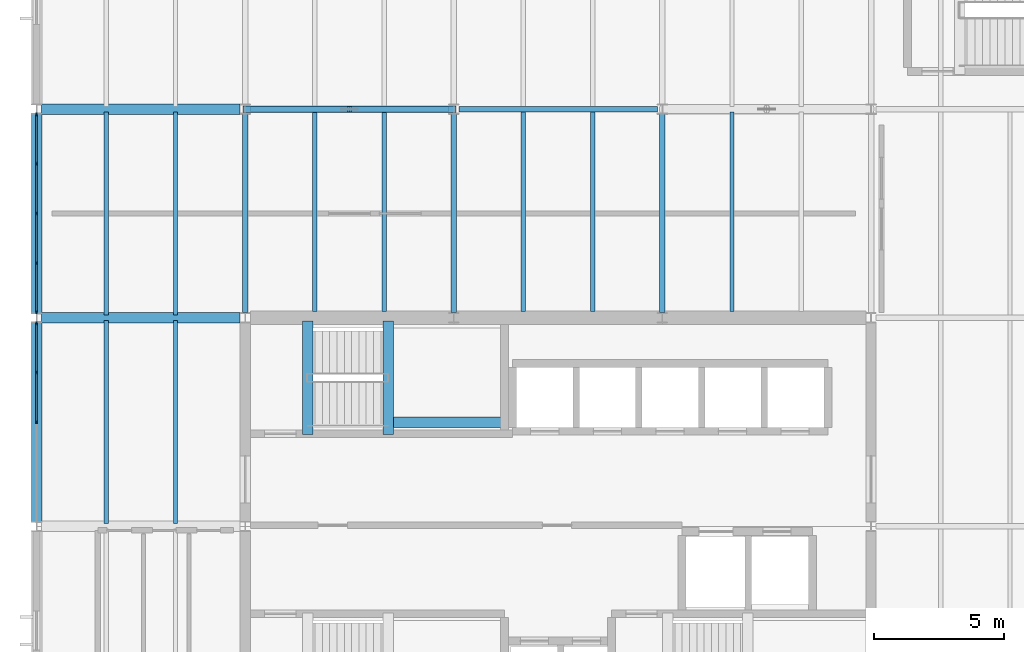
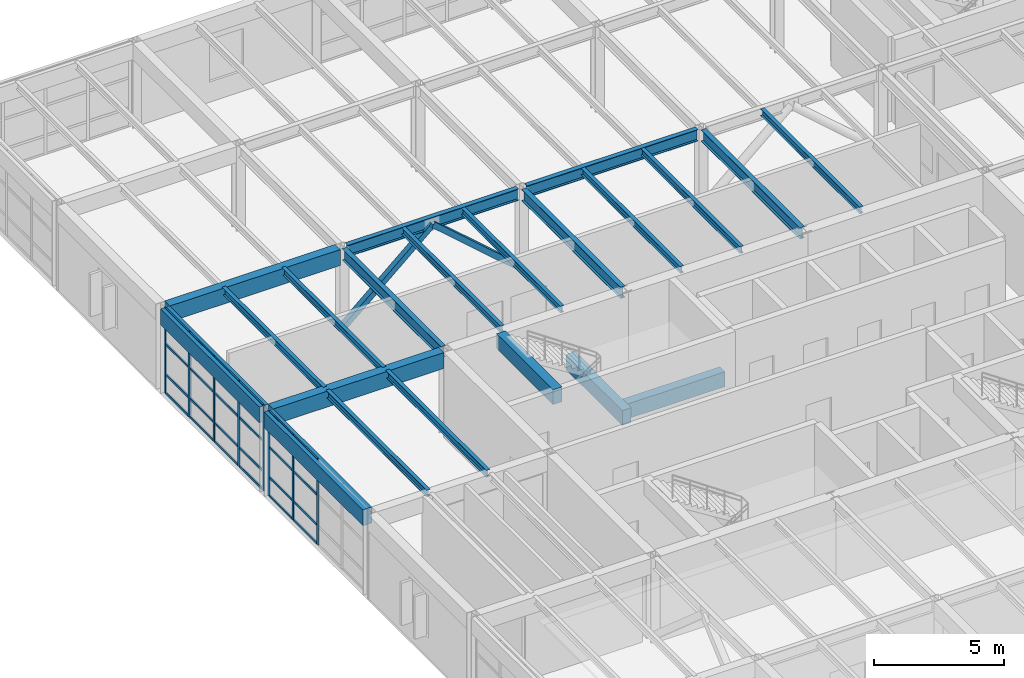
# One storey, part 13 of 48: 34 members, 21 beams, 2 elements without a shape of their own.
"""IFC4 building model written with IfcOpenShell, lengths in metres."""

from ifc_helpers import new_model, si_unit, direction, frame, origin, origin_2d, place, context, subcontext, project, spatial, rectangle, hollow_rectangle, i_section, extrude, material, layer, layer_set, material_profile, profile_set, type_object, element, aggregate, save


model = new_model("IFC4")

# Units and contexts
model_context = context("Model", 3, precision=1e-05, world=origin(), true_north=direction((0.0, 1.0)))
body_context = subcontext(model_context, "Body", "Model", "MODEL_VIEW")
ifc_project = project(units=[si_unit("LENGTHUNIT", "METRE"), si_unit("AREAUNIT", "SQUARE_METRE"), si_unit("VOLUMEUNIT", "CUBIC_METRE"), si_unit("PLANEANGLEUNIT", "RADIAN"), si_unit("MASSUNIT", "GRAM", prefix="KILO")], contexts=[model_context])

# Site, building, storey
site_placement = place(None, origin())
site = spatial("IfcSite", under=ifc_project, at=site_placement, CompositionType="ELEMENT")
building_placement = place(site_placement, origin())
building = spatial("IfcBuilding", under=site, at=building_placement, Name="Varnela Railside Interchange", CompositionType="ELEMENT")
storey_placement = place(building_placement, frame((0.0, 0.0, 11.199951171875)))
storey = spatial("IfcBuildingStorey", under=building, at=storey_placement, Name="L02", CompositionType="ELEMENT", Elevation=11.199951171875)

# Beams
ifc_material_1 = material(Name="Steel AR 350 (350 MPa)", Category="steel")
ifc_material_profile_1 = material_profile(ifc_material_1, i_section(OverallWidth=0.2109375, OverallDepth=0.5390625, WebThickness=0.01171875, FlangeThickness=0.018798828125, at=origin_2d()), Name="W530x109")
ifc_profile_set_1 = profile_set([ifc_material_profile_1], Name="Steel AR 350 (350 MPa)")
beam_type_1 = type_object("IfcBeamType", Name="Composite Girder B-17", PredefinedType="BEAM", material=ifc_profile_set_1)
for number, where, z_axis, x_axis, name in (
    (1, (12.0, 70.193603515625, 3.73046875), (0.0, 1.0, 0.0), (-1.0, 0.0, 0.0), "Composite Girder B-17 (L02) (BM-2065)"),
    (2, (20.0, 70.193603515625, 3.73046875), (0.0, 1.0, 0.0), (-1.0, 0.0, 0.0), "Composite Girder B-17 (L02) (BM-2070)"),
    (3, (28.0, 70.193603515625, 3.73046875), (0.0, 1.0, 0.0), (-1.0, 0.0, 0.0), "Composite Girder B-17 (L02) (BM-2075)"),
):
    element("IfcBeam", number, at=place(storey_placement, frame(where, z_axis=z_axis, x_axis=x_axis)), inside=storey, type_object=beam_type_1, Name=name, PredefinedType="BEAM", context=body_context, shape_type="SweptSolid", body=[
        extrude(i_section(OverallWidth=0.2109375, OverallDepth=0.5390625, WebThickness=0.01171875, FlangeThickness=0.018798828125, at=origin_2d()), origin(), (0.0, 0.0, 1.0), 7.618896484375),
    ])
ifc_material_profile_2 = material_profile(ifc_material_1, i_section(OverallWidth=0.2119140625, OverallDepth=0.5439453125, WebThickness=0.01318359375, FlangeThickness=0.021240234375, at=origin_2d()), Name="W530x123")
ifc_profile_set_2 = profile_set([ifc_material_profile_2], Name="Steel AR 350 (350 MPa)")
beam_type_2 = type_object("IfcBeamType", Name="Composite Heavy Girder B-16", PredefinedType="BEAM", material=ifc_profile_set_2)
for number, where, z_axis, x_axis, name in (
    (4, (12.197021484375, 78.0, 3.72802734375), (1.0, 0.0, 0.0), (0.0, 1.0, 0.0), "Composite Heavy Girder B-16 (L02) (BM-1994)"),
    (5, (20.197021484375, 78.0, 3.72802734375), (1.0, 0.0, 0.0), (0.0, 1.0, 0.0), "Composite Heavy Girder B-16 (L02) (BM-1996)"),
):
    element("IfcBeam", number, at=place(storey_placement, frame(where, z_axis=z_axis, x_axis=x_axis)), inside=storey, type_object=beam_type_2, Name=name, PredefinedType="BEAM", context=body_context, shape_type="SweptSolid", body=[
        extrude(i_section(OverallWidth=0.2119140625, OverallDepth=0.5439453125, WebThickness=0.01318359375, FlangeThickness=0.021240234375, at=origin_2d()), origin(), (0.0, 0.0, 1.0), 7.60595703125),
    ])
ifc_material_profile_3 = material_profile(ifc_material_1, i_section(OverallWidth=0.1669921875, OverallDepth=0.31689453125, WebThickness=0.007568359375, FlangeThickness=0.01318359375, at=origin_2d()), Name="W310x52")
ifc_profile_set_3 = profile_set([ifc_material_profile_3], Name="Steel AR 350 (350 MPa)")
beam_type_3 = type_object("IfcBeamType", Name="Composite Long-Span Joist J-03", PredefinedType="JOIST", material=ifc_profile_set_3)
for number, where, z_axis, x_axis, name in (
    (6, (6.669921875, 62.10595703125, 3.841552734375), (0.0, 1.0, 0.0), (-1.0, 0.0, 0.0), "Composite Long-Span Joist J-03 (L02) (BM-1833)"),
    (7, (9.330078125, 62.10595703125, 3.841552734375), (0.0, 1.0, 0.0), (-1.0, 0.0, 0.0), "Composite Long-Span Joist J-03 (L02) (BM-1834)"),
    (8, (6.669921875, 70.10595703125, 3.841552734375), (0.0, 1.0, 0.0), (-1.0, 0.0, 0.0), "Composite Long-Span Joist J-03 (L02) (BM-1835)"),
    (9, (9.330078125, 70.10595703125, 3.841552734375), (0.0, 1.0, 0.0), (-1.0, 0.0, 0.0), "Composite Long-Span Joist J-03 (L02) (BM-1836)"),
):
    element("IfcBeam", number, at=place(storey_placement, frame(where, z_axis=z_axis, x_axis=x_axis)), inside=storey, type_object=beam_type_3, Name=name, PredefinedType="JOIST", context=body_context, shape_type="SweptSolid", body=[
        extrude(i_section(OverallWidth=0.1669921875, OverallDepth=0.31689453125, WebThickness=0.007568359375, FlangeThickness=0.01318359375, at=origin_2d()), origin(), (0.0, 0.0, 1.0), 7.7880859375),
    ])
for number, where, z_axis, x_axis, name in (
    (10, (14.669921875, 70.239990234375, 3.841552734375), (0.0, 1.0, 0.0), (-1.0, 0.0, 0.0), "Composite Long-Span Joist J-03 (L02) (BM-1882)"),
    (11, (17.330078125, 70.239990234375, 3.841552734375), (0.0, 1.0, 0.0), (-1.0, 0.0, 0.0), "Composite Long-Span Joist J-03 (L02) (BM-1883)"),
    (12, (22.669921875, 70.239990234375, 3.841552734375), (0.0, 1.0, 0.0), (-1.0, 0.0, 0.0), "Composite Long-Span Joist J-03 (L02) (BM-1892)"),
    (13, (25.330078125, 70.239990234375, 3.841552734375), (0.0, 1.0, 0.0), (-1.0, 0.0, 0.0), "Composite Long-Span Joist J-03 (L02) (BM-1893)"),
    (14, (30.669921875, 70.239990234375, 3.841552734375), (0.0, 1.0, 0.0), (-1.0, 0.0, 0.0), "Composite Long-Span Joist J-03 (L02) (BM-1902)"),
):
    element("IfcBeam", number, at=place(storey_placement, frame(where, z_axis=z_axis, x_axis=x_axis)), inside=storey, type_object=beam_type_3, Name=name, PredefinedType="JOIST", context=body_context, shape_type="SweptSolid", body=[
        extrude(i_section(OverallWidth=0.1669921875, OverallDepth=0.31689453125, WebThickness=0.007568359375, FlangeThickness=0.01318359375, at=origin_2d()), origin(), (0.0, 0.0, 1.0), 7.654052734375),
    ])
ifc_material_2 = material(Name="Concrete C40", Category="concrete")
ifc_material_profile_4 = material_profile(ifc_material_2, rectangle(XDim=0.39990234375, YDim=0.699951171875, at=origin_2d()), Name="RC 400x700")
ifc_profile_set_4 = profile_set([ifc_material_profile_4], Name="Concrete C40")
beam_type_4 = type_object("IfcBeamType", Name="Concrete Tie Beam B-01", PredefinedType="BEAM", material=ifc_profile_set_4)
for number, where, z_axis, x_axis, name in (
    (15, (14.39990234375, 65.52001953125, 3.650146484375), (0.0, 1.0, 0.0), (-1.0, 0.0, 0.0), "Concrete Tie Beam B-01 (L02) (BM-2116)"),
    (16, (17.47998046875, 65.52001953125, 1.590087890625), (0.0, 1.0, 0.0), (-1.0, 0.0, 0.0), "Concrete Tie Beam B-01 (L02) (BM-2110)"),
):
    element("IfcBeam", number, at=place(storey_placement, frame(where, z_axis=z_axis, x_axis=x_axis)), inside=storey, type_object=beam_type_4, Name=name, PredefinedType="BEAM", context=body_context, shape_type="SweptSolid", body=[
        extrude(rectangle(XDim=0.39990234375, YDim=0.699951171875, at=origin_2d()), origin(), (0.0, 0.0, 1.0), 4.35986328125),
    ])
beam_1_placement = place(storey_placement, frame((17.679931640625, 66.0, 1.590087890625), z_axis=(1.0, 0.0, 0.0), x_axis=(0.0, 1.0, 0.0)))
element("IfcBeam", 17, at=beam_1_placement, inside=storey, type_object=beam_type_4, Name="Concrete Tie Beam B-01 (L02) (BM-2104)", PredefinedType="BEAM", context=body_context, shape_type="SweptSolid", body=[
    extrude(rectangle(XDim=0.39990234375, YDim=0.699951171875, at=origin_2d()), origin(), (0.0, 0.0, 1.0), 4.340087890625),
])

# Curtain wall, members
ifc_material_3 = material(Name="Aluminium 6063-T6", Category="aluminium")
ifc_layer = layer(ifc_material_3, 0.035888671875)
ifc_layer_set = layer_set([ifc_layer], Name="Aluminium 6063-T6")
curtain_wall_type = type_object("IfcCurtainWallType", Name="Operations Wing Facade Curtain Wall CW-03", PredefinedType="USERDEFINED", material=ifc_layer_set)
curtain_wall_1_placement = place(storey_placement, origin())
curtain_wall_1 = element("IfcCurtainWall", 18, at=curtain_wall_1_placement, inside=storey, type_object=curtain_wall_type, Name="Curtain Wall CW-03 (L02) (CW-047)", ObjectType="CURTAIN WALL", PredefinedType="USERDEFINED")
ifc_material_profile_5 = material_profile(ifc_material_3, rectangle(XDim=0.06005859375, YDim=0.139892578125, at=origin_2d()), Name="ALU 60x140")
ifc_profile_set_5 = profile_set([ifc_material_profile_5], Name="Aluminium 6063-T6")
member_type_1 = type_object("IfcMemberType", Name="Curtain Wall Mullion ML-01", PredefinedType="MULLION", material=ifc_profile_set_5)
member_1_placement = place(storey_placement, frame((4.0, 66.0, 0.0), z_axis=(0.0, 0.0, 1.0), x_axis=(-1.0, 0.0, 0.0)))
member_1 = element("IfcMember", 19, at=member_1_placement, type_object=member_type_1, Name="CW-03 mullion 3", PredefinedType="MULLION", context=body_context, shape_type="SweptSolid", body=[
    extrude(rectangle(XDim=0.06005859375, YDim=0.139892578125, at=origin_2d()), origin(), (0.0, 0.0, 1.0), 4.0),
])
member_2_placement = place(storey_placement, frame((4.0, 67.90625, 0.0), z_axis=(0.0, 0.0, 1.0), x_axis=(-1.0, 0.0, 0.0)))
member_2 = element("IfcMember", 20, at=member_2_placement, type_object=member_type_1, Name="CW-03 mullion 4", PredefinedType="MULLION", context=body_context, shape_type="SweptSolid", body=[
    extrude(rectangle(XDim=0.06005859375, YDim=0.139892578125, at=origin_2d()), origin(), (0.0, 0.0, 1.0), 4.0),
])
member_3_placement = place(storey_placement, frame((4.0, 69.782470703125, 0.0), z_axis=(0.0, 0.0, 1.0), x_axis=(-1.0, 0.0, 0.0)))
member_3 = element("IfcMember", 21, at=member_3_placement, type_object=member_type_1, Name="CW-03 mullion 5", PredefinedType="MULLION", context=body_context, shape_type="SweptSolid", body=[
    extrude(rectangle(XDim=0.06005859375, YDim=0.139892578125, at=origin_2d()), origin(), (0.0, 0.0, 1.0), 4.0),
])

curtain_wall_2_placement = place(storey_placement, origin())
curtain_wall_2 = element("IfcCurtainWall", 22, at=curtain_wall_2_placement, inside=storey, type_object=curtain_wall_type, Name="Curtain Wall CW-03 (L02) (CW-053)", ObjectType="CURTAIN WALL", PredefinedType="USERDEFINED")
member_4_placement = place(storey_placement, frame((4.0, 70.217529296875, 0.0), z_axis=(0.0, 0.0, 1.0), x_axis=(-1.0, 0.0, 0.0)))
member_4 = element("IfcMember", 23, at=member_4_placement, type_object=member_type_1, Name="CW-03 mullion 1", PredefinedType="MULLION", context=body_context, shape_type="SweptSolid", body=[
    extrude(rectangle(XDim=0.06005859375, YDim=0.139892578125, at=origin_2d()), origin(), (0.0, 0.0, 1.0), 4.0),
])
member_5_placement = place(storey_placement, frame((4.0, 72.09375, 0.0), z_axis=(0.0, 0.0, 1.0), x_axis=(-1.0, 0.0, 0.0)))
member_5 = element("IfcMember", 24, at=member_5_placement, type_object=member_type_1, Name="CW-03 mullion 2", PredefinedType="MULLION", context=body_context, shape_type="SweptSolid", body=[
    extrude(rectangle(XDim=0.06005859375, YDim=0.139892578125, at=origin_2d()), origin(), (0.0, 0.0, 1.0), 4.0),
])
member_6_placement = place(storey_placement, frame((4.0, 74.0, 0.0), z_axis=(0.0, 0.0, 1.0), x_axis=(-1.0, 0.0, 0.0)))
member_6 = element("IfcMember", 25, at=member_6_placement, type_object=member_type_1, Name="CW-03 mullion 3", PredefinedType="MULLION", context=body_context, shape_type="SweptSolid", body=[
    extrude(rectangle(XDim=0.06005859375, YDim=0.139892578125, at=origin_2d()), origin(), (0.0, 0.0, 1.0), 4.0),
])
member_7_placement = place(storey_placement, frame((4.0, 75.90625, 0.0), z_axis=(0.0, 0.0, 1.0), x_axis=(-1.0, 0.0, 0.0)))
member_7 = element("IfcMember", 26, at=member_7_placement, type_object=member_type_1, Name="CW-03 mullion 4", PredefinedType="MULLION", context=body_context, shape_type="SweptSolid", body=[
    extrude(rectangle(XDim=0.06005859375, YDim=0.139892578125, at=origin_2d()), origin(), (0.0, 0.0, 1.0), 4.0),
])
member_8_placement = place(storey_placement, frame((4.0, 77.782470703125, 0.0), z_axis=(0.0, 0.0, 1.0), x_axis=(-1.0, 0.0, 0.0)))
member_8 = element("IfcMember", 27, at=member_8_placement, type_object=member_type_1, Name="CW-03 mullion 5", PredefinedType="MULLION", context=body_context, shape_type="SweptSolid", body=[
    extrude(rectangle(XDim=0.06005859375, YDim=0.139892578125, at=origin_2d()), origin(), (0.0, 0.0, 1.0), 4.0),
])

# Member
ifc_material_profile_6 = material_profile(ifc_material_3, rectangle(XDim=0.06005859375, YDim=0.110107421875, at=origin_2d()), Name="ALU 60x110")
ifc_profile_set_6 = profile_set([ifc_material_profile_6], Name="Aluminium 6063-T6")
member_type_2 = type_object("IfcMemberType", Name="Curtain Wall Transom TR-01", PredefinedType="USERDEFINED", material=ifc_profile_set_6)
member_9_placement = place(storey_placement, frame((4.0, 66.030029296875, 0.030029296875), z_axis=(0.0, 1.0, 0.0), x_axis=(-1.0, 0.0, 0.0)))
member_9 = element("IfcMember", 28, at=member_9_placement, type_object=member_type_2, Name="CW-03 transom 3.1", ObjectType="TRANSOM", PredefinedType="USERDEFINED", context=body_context, shape_type="SweptSolid", body=[
    extrude(rectangle(XDim=0.06005859375, YDim=0.110107421875, at=origin_2d()), origin(), (0.0, 0.0, 1.0), 1.84619140625),
])

member_10_placement = place(storey_placement, frame((4.0, 66.030029296875, 0.900146484375), z_axis=(0.0, 1.0, 0.0), x_axis=(-1.0, 0.0, 0.0)))
member_10 = element("IfcMember", 29, at=member_10_placement, type_object=member_type_2, Name="CW-03 transom 3.2", ObjectType="TRANSOM", PredefinedType="USERDEFINED", context=body_context, shape_type="SweptSolid", body=[
    extrude(rectangle(XDim=0.06005859375, YDim=0.110107421875, at=origin_2d()), origin(), (0.0, 0.0, 1.0), 1.84619140625),
])

member_11_placement = place(storey_placement, frame((4.0, 66.030029296875, 2.320068359375), z_axis=(0.0, 1.0, 0.0), x_axis=(-1.0, 0.0, 0.0)))
member_11 = element("IfcMember", 30, at=member_11_placement, type_object=member_type_2, Name="CW-03 transom 3.3", ObjectType="TRANSOM", PredefinedType="USERDEFINED", context=body_context, shape_type="SweptSolid", body=[
    extrude(rectangle(XDim=0.06005859375, YDim=0.110107421875, at=origin_2d()), origin(), (0.0, 0.0, 1.0), 1.84619140625),
])

member_12_placement = place(storey_placement, frame((4.0, 66.030029296875, 3.969970703125), z_axis=(0.0, 1.0, 0.0), x_axis=(-1.0, 0.0, 0.0)))
member_12 = element("IfcMember", 31, at=member_12_placement, type_object=member_type_2, Name="CW-03 transom 3.4", ObjectType="TRANSOM", PredefinedType="USERDEFINED", context=body_context, shape_type="SweptSolid", body=[
    extrude(rectangle(XDim=0.06005859375, YDim=0.110107421875, at=origin_2d()), origin(), (0.0, 0.0, 1.0), 1.84619140625),
])

member_13_placement = place(storey_placement, frame((4.0, 67.936279296875, 0.030029296875), z_axis=(0.0, 1.0, 0.0), x_axis=(-1.0, 0.0, 0.0)))
member_13 = element("IfcMember", 32, at=member_13_placement, type_object=member_type_2, Name="CW-03 transom 4.1", ObjectType="TRANSOM", PredefinedType="USERDEFINED", context=body_context, shape_type="SweptSolid", body=[
    extrude(rectangle(XDim=0.06005859375, YDim=0.110107421875, at=origin_2d()), origin(), (0.0, 0.0, 1.0), 1.816162109375),
])

member_14_placement = place(storey_placement, frame((4.0, 67.936279296875, 0.900146484375), z_axis=(0.0, 1.0, 0.0), x_axis=(-1.0, 0.0, 0.0)))
member_14 = element("IfcMember", 33, at=member_14_placement, type_object=member_type_2, Name="CW-03 transom 4.2", ObjectType="TRANSOM", PredefinedType="USERDEFINED", context=body_context, shape_type="SweptSolid", body=[
    extrude(rectangle(XDim=0.06005859375, YDim=0.110107421875, at=origin_2d()), origin(), (0.0, 0.0, 1.0), 1.816162109375),
])

member_15_placement = place(storey_placement, frame((4.0, 67.936279296875, 2.320068359375), z_axis=(0.0, 1.0, 0.0), x_axis=(-1.0, 0.0, 0.0)))
member_15 = element("IfcMember", 34, at=member_15_placement, type_object=member_type_2, Name="CW-03 transom 4.3", ObjectType="TRANSOM", PredefinedType="USERDEFINED", context=body_context, shape_type="SweptSolid", body=[
    extrude(rectangle(XDim=0.06005859375, YDim=0.110107421875, at=origin_2d()), origin(), (0.0, 0.0, 1.0), 1.816162109375),
])

member_16_placement = place(storey_placement, frame((4.0, 67.936279296875, 3.969970703125), z_axis=(0.0, 1.0, 0.0), x_axis=(-1.0, 0.0, 0.0)))
member_16 = element("IfcMember", 35, at=member_16_placement, type_object=member_type_2, Name="CW-03 transom 4.4", ObjectType="TRANSOM", PredefinedType="USERDEFINED", context=body_context, shape_type="SweptSolid", body=[
    extrude(rectangle(XDim=0.06005859375, YDim=0.110107421875, at=origin_2d()), origin(), (0.0, 0.0, 1.0), 1.816162109375),
])

aggregate(curtain_wall_1, [member_1, member_2, member_3, member_9, member_10, member_11, member_12, member_13, member_14, member_15, member_16])

member_17_placement = place(storey_placement, frame((4.0, 70.24755859375, 0.030029296875), z_axis=(0.0, 1.0, 0.0), x_axis=(-1.0, 0.0, 0.0)))
member_17 = element("IfcMember", 36, at=member_17_placement, type_object=member_type_2, Name="CW-03 transom 1.1", ObjectType="TRANSOM", PredefinedType="USERDEFINED", context=body_context, shape_type="SweptSolid", body=[
    extrude(rectangle(XDim=0.06005859375, YDim=0.110107421875, at=origin_2d()), origin(), (0.0, 0.0, 1.0), 1.816162109375),
])

member_18_placement = place(storey_placement, frame((4.0, 70.24755859375, 0.900146484375), z_axis=(0.0, 1.0, 0.0), x_axis=(-1.0, 0.0, 0.0)))
member_18 = element("IfcMember", 37, at=member_18_placement, type_object=member_type_2, Name="CW-03 transom 1.2", ObjectType="TRANSOM", PredefinedType="USERDEFINED", context=body_context, shape_type="SweptSolid", body=[
    extrude(rectangle(XDim=0.06005859375, YDim=0.110107421875, at=origin_2d()), origin(), (0.0, 0.0, 1.0), 1.816162109375),
])

member_19_placement = place(storey_placement, frame((4.0, 70.24755859375, 2.320068359375), z_axis=(0.0, 1.0, 0.0), x_axis=(-1.0, 0.0, 0.0)))
member_19 = element("IfcMember", 38, at=member_19_placement, type_object=member_type_2, Name="CW-03 transom 1.3", ObjectType="TRANSOM", PredefinedType="USERDEFINED", context=body_context, shape_type="SweptSolid", body=[
    extrude(rectangle(XDim=0.06005859375, YDim=0.110107421875, at=origin_2d()), origin(), (0.0, 0.0, 1.0), 1.816162109375),
])

member_20_placement = place(storey_placement, frame((4.0, 70.24755859375, 3.969970703125), z_axis=(0.0, 1.0, 0.0), x_axis=(-1.0, 0.0, 0.0)))
member_20 = element("IfcMember", 39, at=member_20_placement, type_object=member_type_2, Name="CW-03 transom 1.4", ObjectType="TRANSOM", PredefinedType="USERDEFINED", context=body_context, shape_type="SweptSolid", body=[
    extrude(rectangle(XDim=0.06005859375, YDim=0.110107421875, at=origin_2d()), origin(), (0.0, 0.0, 1.0), 1.816162109375),
])

member_21_placement = place(storey_placement, frame((4.0, 72.123779296875, 0.030029296875), z_axis=(0.0, 1.0, 0.0), x_axis=(-1.0, 0.0, 0.0)))
member_21 = element("IfcMember", 40, at=member_21_placement, type_object=member_type_2, Name="CW-03 transom 2.1", ObjectType="TRANSOM", PredefinedType="USERDEFINED", context=body_context, shape_type="SweptSolid", body=[
    extrude(rectangle(XDim=0.06005859375, YDim=0.110107421875, at=origin_2d()), origin(), (0.0, 0.0, 1.0), 1.84619140625),
])

member_22_placement = place(storey_placement, frame((4.0, 72.123779296875, 0.900146484375), z_axis=(0.0, 1.0, 0.0), x_axis=(-1.0, 0.0, 0.0)))
member_22 = element("IfcMember", 41, at=member_22_placement, type_object=member_type_2, Name="CW-03 transom 2.2", ObjectType="TRANSOM", PredefinedType="USERDEFINED", context=body_context, shape_type="SweptSolid", body=[
    extrude(rectangle(XDim=0.06005859375, YDim=0.110107421875, at=origin_2d()), origin(), (0.0, 0.0, 1.0), 1.84619140625),
])

member_23_placement = place(storey_placement, frame((4.0, 72.123779296875, 2.320068359375), z_axis=(0.0, 1.0, 0.0), x_axis=(-1.0, 0.0, 0.0)))
member_23 = element("IfcMember", 42, at=member_23_placement, type_object=member_type_2, Name="CW-03 transom 2.3", ObjectType="TRANSOM", PredefinedType="USERDEFINED", context=body_context, shape_type="SweptSolid", body=[
    extrude(rectangle(XDim=0.06005859375, YDim=0.110107421875, at=origin_2d()), origin(), (0.0, 0.0, 1.0), 1.84619140625),
])

member_24_placement = place(storey_placement, frame((4.0, 72.123779296875, 3.969970703125), z_axis=(0.0, 1.0, 0.0), x_axis=(-1.0, 0.0, 0.0)))
member_24 = element("IfcMember", 43, at=member_24_placement, type_object=member_type_2, Name="CW-03 transom 2.4", ObjectType="TRANSOM", PredefinedType="USERDEFINED", context=body_context, shape_type="SweptSolid", body=[
    extrude(rectangle(XDim=0.06005859375, YDim=0.110107421875, at=origin_2d()), origin(), (0.0, 0.0, 1.0), 1.84619140625),
])

member_25_placement = place(storey_placement, frame((4.0, 74.030029296875, 0.030029296875), z_axis=(0.0, 1.0, 0.0), x_axis=(-1.0, 0.0, 0.0)))
member_25 = element("IfcMember", 44, at=member_25_placement, type_object=member_type_2, Name="CW-03 transom 3.1", ObjectType="TRANSOM", PredefinedType="USERDEFINED", context=body_context, shape_type="SweptSolid", body=[
    extrude(rectangle(XDim=0.06005859375, YDim=0.110107421875, at=origin_2d()), origin(), (0.0, 0.0, 1.0), 1.84619140625),
])

member_26_placement = place(storey_placement, frame((4.0, 74.030029296875, 0.900146484375), z_axis=(0.0, 1.0, 0.0), x_axis=(-1.0, 0.0, 0.0)))
member_26 = element("IfcMember", 45, at=member_26_placement, type_object=member_type_2, Name="CW-03 transom 3.2", ObjectType="TRANSOM", PredefinedType="USERDEFINED", context=body_context, shape_type="SweptSolid", body=[
    extrude(rectangle(XDim=0.06005859375, YDim=0.110107421875, at=origin_2d()), origin(), (0.0, 0.0, 1.0), 1.84619140625),
])

member_27_placement = place(storey_placement, frame((4.0, 74.030029296875, 2.320068359375), z_axis=(0.0, 1.0, 0.0), x_axis=(-1.0, 0.0, 0.0)))
member_27 = element("IfcMember", 46, at=member_27_placement, type_object=member_type_2, Name="CW-03 transom 3.3", ObjectType="TRANSOM", PredefinedType="USERDEFINED", context=body_context, shape_type="SweptSolid", body=[
    extrude(rectangle(XDim=0.06005859375, YDim=0.110107421875, at=origin_2d()), origin(), (0.0, 0.0, 1.0), 1.84619140625),
])

member_28_placement = place(storey_placement, frame((4.0, 74.030029296875, 3.969970703125), z_axis=(0.0, 1.0, 0.0), x_axis=(-1.0, 0.0, 0.0)))
member_28 = element("IfcMember", 47, at=member_28_placement, type_object=member_type_2, Name="CW-03 transom 3.4", ObjectType="TRANSOM", PredefinedType="USERDEFINED", context=body_context, shape_type="SweptSolid", body=[
    extrude(rectangle(XDim=0.06005859375, YDim=0.110107421875, at=origin_2d()), origin(), (0.0, 0.0, 1.0), 1.84619140625),
])

member_29_placement = place(storey_placement, frame((4.0, 75.936279296875, 0.030029296875), z_axis=(0.0, 1.0, 0.0), x_axis=(-1.0, 0.0, 0.0)))
member_29 = element("IfcMember", 48, at=member_29_placement, type_object=member_type_2, Name="CW-03 transom 4.1", ObjectType="TRANSOM", PredefinedType="USERDEFINED", context=body_context, shape_type="SweptSolid", body=[
    extrude(rectangle(XDim=0.06005859375, YDim=0.110107421875, at=origin_2d()), origin(), (0.0, 0.0, 1.0), 1.816162109375),
])

member_30_placement = place(storey_placement, frame((4.0, 75.936279296875, 0.900146484375), z_axis=(0.0, 1.0, 0.0), x_axis=(-1.0, 0.0, 0.0)))
member_30 = element("IfcMember", 49, at=member_30_placement, type_object=member_type_2, Name="CW-03 transom 4.2", ObjectType="TRANSOM", PredefinedType="USERDEFINED", context=body_context, shape_type="SweptSolid", body=[
    extrude(rectangle(XDim=0.06005859375, YDim=0.110107421875, at=origin_2d()), origin(), (0.0, 0.0, 1.0), 1.816162109375),
])

member_31_placement = place(storey_placement, frame((4.0, 75.936279296875, 2.320068359375), z_axis=(0.0, 1.0, 0.0), x_axis=(-1.0, 0.0, 0.0)))
member_31 = element("IfcMember", 50, at=member_31_placement, type_object=member_type_2, Name="CW-03 transom 4.3", ObjectType="TRANSOM", PredefinedType="USERDEFINED", context=body_context, shape_type="SweptSolid", body=[
    extrude(rectangle(XDim=0.06005859375, YDim=0.110107421875, at=origin_2d()), origin(), (0.0, 0.0, 1.0), 1.816162109375),
])

member_32_placement = place(storey_placement, frame((4.0, 75.936279296875, 3.969970703125), z_axis=(0.0, 1.0, 0.0), x_axis=(-1.0, 0.0, 0.0)))
member_32 = element("IfcMember", 51, at=member_32_placement, type_object=member_type_2, Name="CW-03 transom 4.4", ObjectType="TRANSOM", PredefinedType="USERDEFINED", context=body_context, shape_type="SweptSolid", body=[
    extrude(rectangle(XDim=0.06005859375, YDim=0.110107421875, at=origin_2d()), origin(), (0.0, 0.0, 1.0), 1.816162109375),
])

aggregate(curtain_wall_2, [member_4, member_5, member_6, member_7, member_8, member_17, member_18, member_19, member_20, member_21, member_22, member_23, member_24, member_25, member_26, member_27, member_28, member_29, member_30, member_31, member_32])

# Members
ifc_material_profile_7 = material_profile(ifc_material_1, hollow_rectangle(XDim=0.25, YDim=0.25, WallThickness=0.01611328125, at=origin_2d()), Name="HSS 250x250x16")
ifc_profile_set_7 = profile_set([ifc_material_profile_7], Name="Steel AR 350 (350 MPa)")
member_type_3 = type_object("IfcMemberType", Name="Lateral Chevron Brace BR-03", PredefinedType="BRACE", material=ifc_profile_set_7)
for number, where, z_axis, x_axis, name in (
    (52, (12.0, 78.0, 0.150146484375), (0.752576694707, 0.0, 0.658504607869), (0.0, 1.0, 0.0), "Lateral Chevron Brace BR-03 (L02) (MB-0079)"),
    (53, (20.0, 78.0, 0.150146484375), (-0.752576694707, 0.0, 0.658504607869), (0.0, -1.0, 0.0), "Lateral Chevron Brace BR-03 (L02) (MB-0080)"),
):
    element("IfcMember", number, at=place(storey_placement, frame(where, z_axis=z_axis, x_axis=x_axis)), inside=storey, type_object=member_type_3, Name=name, PredefinedType="BRACE", context=body_context, shape_type="SweptSolid", body=[
        extrude(hollow_rectangle(XDim=0.25, YDim=0.25, WallThickness=0.01611328125, at=origin_2d()), origin(), (0.0, 0.0, 1.0), 5.315185546875),
    ])

# Beams
ifc_material_4 = material(Name="Concrete C40 precast", Category="concrete")
ifc_material_profile_8 = material_profile(ifc_material_4, rectangle(XDim=0.39990234375, YDim=0.75, at=origin_2d()), Name="PC 400x750")
ifc_profile_set_8 = profile_set([ifc_material_profile_8], Name="Concrete C40 precast")
beam_type_5 = type_object("IfcBeamType", Name="Precast Facade Spandrel SP-03", PredefinedType="SPANDREL", material=ifc_profile_set_8)
beam_2_placement = place(storey_placement, frame((4.197021484375, 70.0, 3.625), z_axis=(1.0, 0.0, 0.0), x_axis=(0.0, 1.0, 0.0)))
element("IfcBeam", 54, at=beam_2_placement, inside=storey, type_object=beam_type_5, Name="Precast Facade Spandrel SP-03 (L02) (BM-1991)", PredefinedType="SPANDREL", context=body_context, shape_type="SweptSolid", body=[
    extrude(rectangle(XDim=0.39990234375, YDim=0.75, at=origin_2d()), origin(), (0.0, 0.0, 1.0), 7.60400390625),
])
beam_3_placement = place(storey_placement, frame((4.197021484375, 78.0, 3.625), z_axis=(1.0, 0.0, 0.0), x_axis=(0.0, 1.0, 0.0)))
element("IfcBeam", 55, at=beam_3_placement, inside=storey, type_object=beam_type_5, Name="Precast Facade Spandrel SP-03 (L02) (BM-2000)", PredefinedType="SPANDREL", context=body_context, shape_type="SweptSolid", body=[
    extrude(rectangle(XDim=0.39990234375, YDim=0.75, at=origin_2d()), origin(), (0.0, 0.0, 1.0), 7.60595703125),
])
for number, where, z_axis, x_axis, name in (
    (56, (4.0, 62.1875, 3.625), (0.0, 1.0, 0.0), (-1.0, 0.0, 0.0), "Precast Facade Spandrel SP-03 (L02) (BM-2053)"),
    (57, (4.0, 70.1875, 3.625), (0.0, 1.0, 0.0), (-1.0, 0.0, 0.0), "Precast Facade Spandrel SP-03 (L02) (BM-2054)"),
):
    element("IfcBeam", number, at=place(storey_placement, frame(where, z_axis=z_axis, x_axis=x_axis)), inside=storey, type_object=beam_type_5, Name=name, PredefinedType="SPANDREL", context=body_context, shape_type="SweptSolid", body=[
        extrude(rectangle(XDim=0.39990234375, YDim=0.75, at=origin_2d()), origin(), (0.0, 0.0, 1.0), 7.625),
    ])

save(model, "model.ifc")
